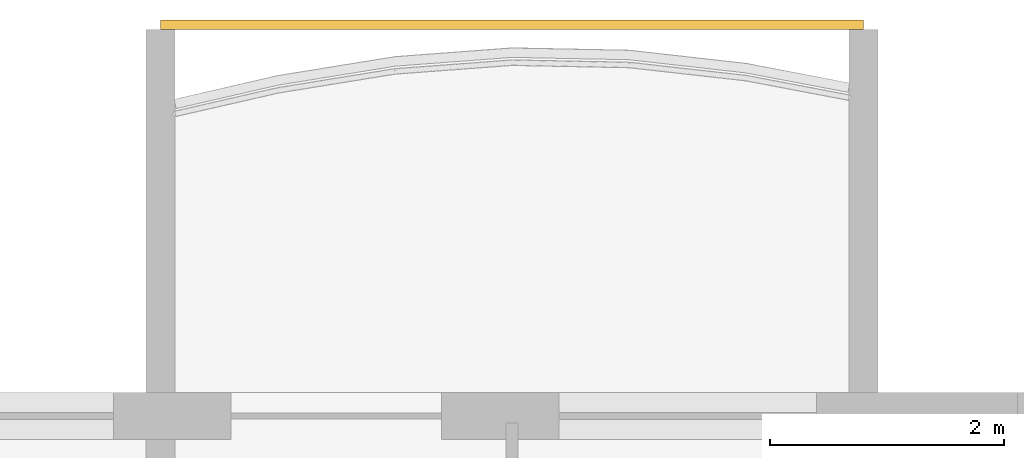
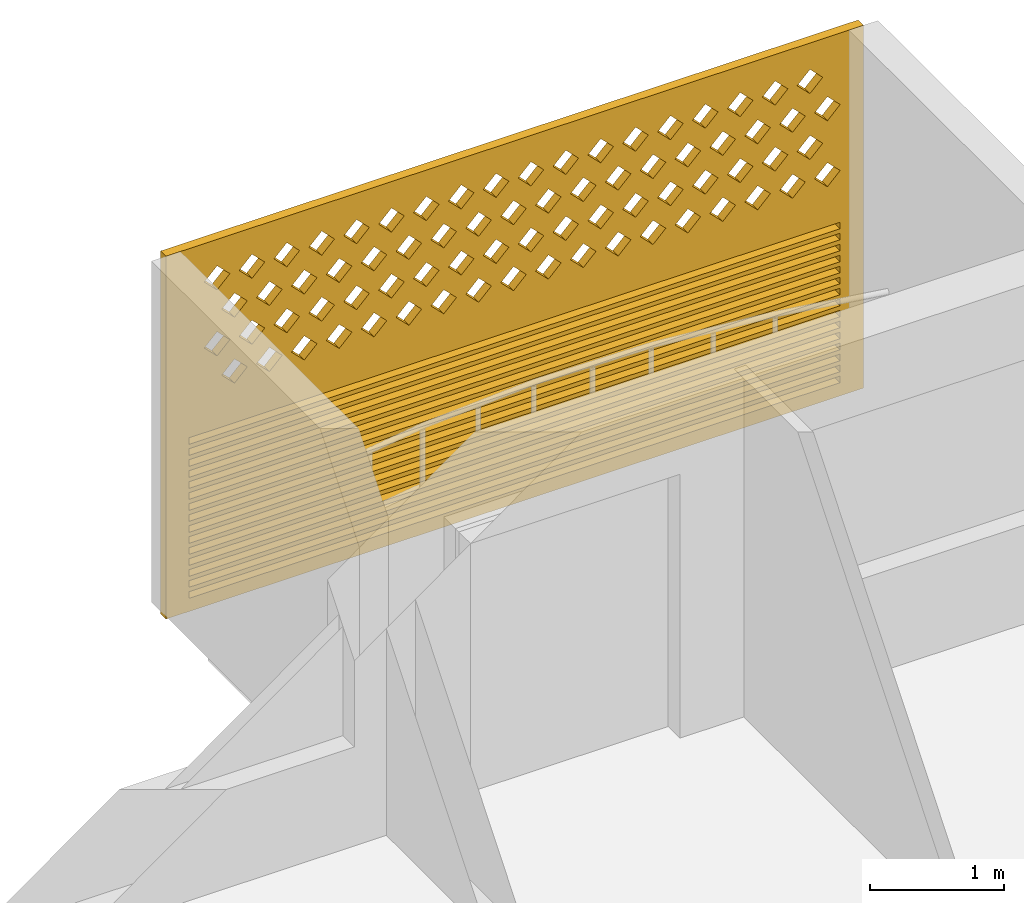
# One storey, part 27 of 27: 1 covering.
"""IFC4 building model written with IfcOpenShell, lengths in metres."""

from ifc_helpers import new_model, si_unit, direction, frame, origin, place, context, subcontext, project, spatial, polyline, outline, extrude, source, transform, mapped, material, material_profile, profile_set, type_object, element, save


model = new_model("IFC4")

# Units and contexts
model_context = context("Model", 3, precision=1e-05, world=origin(), true_north=direction((0.0, 1.0)))
body_context = subcontext(model_context, "Body", "Model", "MODEL_VIEW")
ifc_project = project(units=[si_unit("LENGTHUNIT", "METRE"), si_unit("AREAUNIT", "SQUARE_METRE"), si_unit("VOLUMEUNIT", "CUBIC_METRE"), si_unit("PLANEANGLEUNIT", "RADIAN"), si_unit("MASSUNIT", "GRAM", prefix="KILO")], contexts=[model_context])

# Site, building, storey
site_placement = place(None, origin())
site = spatial("IfcSite", under=ifc_project, at=site_placement, CompositionType="ELEMENT")
building_placement = place(site_placement, origin())
building = spatial("IfcBuilding", under=site, at=building_placement, Name="Poui Terraces", CompositionType="ELEMENT")
storey_placement = place(building_placement, frame((0.0, 0.0, 204.89990234375)))
storey = spatial("IfcBuildingStorey", under=building, at=storey_placement, Name="L57", CompositionType="ELEMENT", Elevation=204.89990234375)

# Covering
ifc_material = material(Name="Terracotta screen", Category="masonry")
ifc_material_profile = material_profile(ifc_material, outline(polyline([(-3.0, -1.64990234375), (3.0, -1.64990234375), (3.0, 1.64990234375), (-3.0, 1.64990234375), (-3.0, -1.64990234375)]), holes=[polyline([(-2.800048828125, 0.39990234375), (-2.68994140625, 0.2900390625), (-2.580078125, 0.39990234375), (-2.68994140625, 0.510009765625), (-2.800048828125, 0.39990234375)]), polyline([(-2.5, 0.39990234375), (-2.389892578125, 0.2900390625), (-2.280029296875, 0.39990234375), (-2.389892578125, 0.510009765625), (-2.5, 0.39990234375)]), polyline([(-2.199951171875, 0.39990234375), (-2.090087890625, 0.2900390625), (-1.97998046875, 0.39990234375), (-2.090087890625, 0.510009765625), (-2.199951171875, 0.39990234375)]), polyline([(-1.89990234375, 0.39990234375), (-1.7900390625, 0.2900390625), (-1.679931640625, 0.39990234375), (-1.7900390625, 0.510009765625), (-1.89990234375, 0.39990234375)]), polyline([(-1.60009765625, 0.39990234375), (-1.489990234375, 0.2900390625), (-1.3798828125, 0.39990234375), (-1.489990234375, 0.510009765625), (-1.60009765625, 0.39990234375)]), polyline([(-1.300048828125, 0.39990234375), (-1.18994140625, 0.2900390625), (-1.080078125, 0.39990234375), (-1.18994140625, 0.510009765625), (-1.300048828125, 0.39990234375)]), polyline([(-1.0, 0.39990234375), (-0.889892578125, 0.2900390625), (-0.780029296875, 0.39990234375), (-0.889892578125, 0.510009765625), (-1.0, 0.39990234375)]), polyline([(-0.699951171875, 0.39990234375), (-0.590087890625, 0.2900390625), (-0.47998046875, 0.39990234375), (-0.590087890625, 0.510009765625), (-0.699951171875, 0.39990234375)]), polyline([(-0.39990234375, 0.39990234375), (-0.2900390625, 0.2900390625), (-0.179931640625, 0.39990234375), (-0.2900390625, 0.510009765625), (-0.39990234375, 0.39990234375)]), polyline([(-0.10009765625, 0.39990234375), (0.010009765625, 0.2900390625), (0.1201171875, 0.39990234375), (0.010009765625, 0.510009765625), (-0.10009765625, 0.39990234375)]), polyline([(0.199951171875, 0.39990234375), (0.31005859375, 0.2900390625), (0.419921875, 0.39990234375), (0.31005859375, 0.510009765625), (0.199951171875, 0.39990234375)]), polyline([(0.5, 0.39990234375), (0.610107421875, 0.2900390625), (0.719970703125, 0.39990234375), (0.610107421875, 0.510009765625), (0.5, 0.39990234375)]), polyline([(0.800048828125, 0.39990234375), (0.909912109375, 0.2900390625), (1.02001953125, 0.39990234375), (0.909912109375, 0.510009765625), (0.800048828125, 0.39990234375)]), polyline([(1.10009765625, 0.39990234375), (1.2099609375, 0.2900390625), (1.320068359375, 0.39990234375), (1.2099609375, 0.510009765625), (1.10009765625, 0.39990234375)]), polyline([(1.39990234375, 0.39990234375), (1.510009765625, 0.2900390625), (1.6201171875, 0.39990234375), (1.510009765625, 0.510009765625), (1.39990234375, 0.39990234375)]), polyline([(1.699951171875, 0.39990234375), (1.81005859375, 0.2900390625), (1.919921875, 0.39990234375), (1.81005859375, 0.510009765625), (1.699951171875, 0.39990234375)]), polyline([(2.0, 0.39990234375), (2.110107421875, 0.2900390625), (2.219970703125, 0.39990234375), (2.110107421875, 0.510009765625), (2.0, 0.39990234375)]), polyline([(2.300048828125, 0.39990234375), (2.409912109375, 0.2900390625), (2.52001953125, 0.39990234375), (2.409912109375, 0.510009765625), (2.300048828125, 0.39990234375)]), polyline([(-2.64990234375, 0.699951171875), (-2.5400390625, 0.590087890625), (-2.429931640625, 0.699951171875), (-2.5400390625, 0.81005859375), (-2.64990234375, 0.699951171875)]), polyline([(-2.35009765625, 0.699951171875), (-2.239990234375, 0.590087890625), (-2.1298828125, 0.699951171875), (-2.239990234375, 0.81005859375), (-2.35009765625, 0.699951171875)]), polyline([(-2.050048828125, 0.699951171875), (-1.93994140625, 0.590087890625), (-1.830078125, 0.699951171875), (-1.93994140625, 0.81005859375), (-2.050048828125, 0.699951171875)]), polyline([(-1.75, 0.699951171875), (-1.639892578125, 0.590087890625), (-1.530029296875, 0.699951171875), (-1.639892578125, 0.81005859375), (-1.75, 0.699951171875)]), polyline([(-1.449951171875, 0.699951171875), (-1.340087890625, 0.590087890625), (-1.22998046875, 0.699951171875), (-1.340087890625, 0.81005859375), (-1.449951171875, 0.699951171875)]), polyline([(-1.14990234375, 0.699951171875), (-1.0400390625, 0.590087890625), (-0.929931640625, 0.699951171875), (-1.0400390625, 0.81005859375), (-1.14990234375, 0.699951171875)]), polyline([(-0.85009765625, 0.699951171875), (-0.739990234375, 0.590087890625), (-0.6298828125, 0.699951171875), (-0.739990234375, 0.81005859375), (-0.85009765625, 0.699951171875)]), polyline([(-0.550048828125, 0.699951171875), (-0.43994140625, 0.590087890625), (-0.330078125, 0.699951171875), (-0.43994140625, 0.81005859375), (-0.550048828125, 0.699951171875)]), polyline([(-0.25, 0.699951171875), (-0.139892578125, 0.590087890625), (-0.030029296875, 0.699951171875), (-0.139892578125, 0.81005859375), (-0.25, 0.699951171875)]), polyline([(0.050048828125, 0.699951171875), (0.159912109375, 0.590087890625), (0.27001953125, 0.699951171875), (0.159912109375, 0.81005859375), (0.050048828125, 0.699951171875)]), polyline([(0.35009765625, 0.699951171875), (0.4599609375, 0.590087890625), (0.570068359375, 0.699951171875), (0.4599609375, 0.81005859375), (0.35009765625, 0.699951171875)]), polyline([(0.64990234375, 0.699951171875), (0.760009765625, 0.590087890625), (0.8701171875, 0.699951171875), (0.760009765625, 0.81005859375), (0.64990234375, 0.699951171875)]), polyline([(0.949951171875, 0.699951171875), (1.06005859375, 0.590087890625), (1.169921875, 0.699951171875), (1.06005859375, 0.81005859375), (0.949951171875, 0.699951171875)]), polyline([(1.25, 0.699951171875), (1.360107421875, 0.590087890625), (1.469970703125, 0.699951171875), (1.360107421875, 0.81005859375), (1.25, 0.699951171875)]), polyline([(1.550048828125, 0.699951171875), (1.659912109375, 0.590087890625), (1.77001953125, 0.699951171875), (1.659912109375, 0.81005859375), (1.550048828125, 0.699951171875)]), polyline([(1.85009765625, 0.699951171875), (1.9599609375, 0.590087890625), (2.070068359375, 0.699951171875), (1.9599609375, 0.81005859375), (1.85009765625, 0.699951171875)]), polyline([(2.14990234375, 0.699951171875), (2.260009765625, 0.590087890625), (2.3701171875, 0.699951171875), (2.260009765625, 0.81005859375), (2.14990234375, 0.699951171875)]), polyline([(2.449951171875, 0.699951171875), (2.56005859375, 0.590087890625), (2.669921875, 0.699951171875), (2.56005859375, 0.81005859375), (2.449951171875, 0.699951171875)]), polyline([(-2.800048828125, 1.0), (-2.68994140625, 0.889892578125), (-2.580078125, 1.0), (-2.68994140625, 1.110107421875), (-2.800048828125, 1.0)]), polyline([(-2.5, 1.0), (-2.389892578125, 0.889892578125), (-2.280029296875, 1.0), (-2.389892578125, 1.110107421875), (-2.5, 1.0)]), polyline([(-2.199951171875, 1.0), (-2.090087890625, 0.889892578125), (-1.97998046875, 1.0), (-2.090087890625, 1.110107421875), (-2.199951171875, 1.0)]), polyline([(-1.89990234375, 1.0), (-1.7900390625, 0.889892578125), (-1.679931640625, 1.0), (-1.7900390625, 1.110107421875), (-1.89990234375, 1.0)]), polyline([(-1.60009765625, 1.0), (-1.489990234375, 0.889892578125), (-1.3798828125, 1.0), (-1.489990234375, 1.110107421875), (-1.60009765625, 1.0)]), polyline([(-1.300048828125, 1.0), (-1.18994140625, 0.889892578125), (-1.080078125, 1.0), (-1.18994140625, 1.110107421875), (-1.300048828125, 1.0)]), polyline([(-1.0, 1.0), (-0.889892578125, 0.889892578125), (-0.780029296875, 1.0), (-0.889892578125, 1.110107421875), (-1.0, 1.0)]), polyline([(-0.699951171875, 1.0), (-0.590087890625, 0.889892578125), (-0.47998046875, 1.0), (-0.590087890625, 1.110107421875), (-0.699951171875, 1.0)]), polyline([(-0.39990234375, 1.0), (-0.2900390625, 0.889892578125), (-0.179931640625, 1.0), (-0.2900390625, 1.110107421875), (-0.39990234375, 1.0)]), polyline([(-0.10009765625, 1.0), (0.010009765625, 0.889892578125), (0.1201171875, 1.0), (0.010009765625, 1.110107421875), (-0.10009765625, 1.0)]), polyline([(0.199951171875, 1.0), (0.31005859375, 0.889892578125), (0.419921875, 1.0), (0.31005859375, 1.110107421875), (0.199951171875, 1.0)]), polyline([(0.5, 1.0), (0.610107421875, 0.889892578125), (0.719970703125, 1.0), (0.610107421875, 1.110107421875), (0.5, 1.0)]), polyline([(0.800048828125, 1.0), (0.909912109375, 0.889892578125), (1.02001953125, 1.0), (0.909912109375, 1.110107421875), (0.800048828125, 1.0)]), polyline([(1.10009765625, 1.0), (1.2099609375, 0.889892578125), (1.320068359375, 1.0), (1.2099609375, 1.110107421875), (1.10009765625, 1.0)]), polyline([(1.39990234375, 1.0), (1.510009765625, 0.889892578125), (1.6201171875, 1.0), (1.510009765625, 1.110107421875), (1.39990234375, 1.0)]), polyline([(1.699951171875, 1.0), (1.81005859375, 0.889892578125), (1.919921875, 1.0), (1.81005859375, 1.110107421875), (1.699951171875, 1.0)]), polyline([(2.0, 1.0), (2.110107421875, 0.889892578125), (2.219970703125, 1.0), (2.110107421875, 1.110107421875), (2.0, 1.0)]), polyline([(2.300048828125, 1.0), (2.409912109375, 0.889892578125), (2.52001953125, 1.0), (2.409912109375, 1.110107421875), (2.300048828125, 1.0)]), polyline([(-2.64990234375, 1.300048828125), (-2.5400390625, 1.18994140625), (-2.429931640625, 1.300048828125), (-2.5400390625, 1.409912109375), (-2.64990234375, 1.300048828125)]), polyline([(-2.35009765625, 1.300048828125), (-2.239990234375, 1.18994140625), (-2.1298828125, 1.300048828125), (-2.239990234375, 1.409912109375), (-2.35009765625, 1.300048828125)]), polyline([(-2.050048828125, 1.300048828125), (-1.93994140625, 1.18994140625), (-1.830078125, 1.300048828125), (-1.93994140625, 1.409912109375), (-2.050048828125, 1.300048828125)]), polyline([(-1.75, 1.300048828125), (-1.639892578125, 1.18994140625), (-1.530029296875, 1.300048828125), (-1.639892578125, 1.409912109375), (-1.75, 1.300048828125)]), polyline([(-1.449951171875, 1.300048828125), (-1.340087890625, 1.18994140625), (-1.22998046875, 1.300048828125), (-1.340087890625, 1.409912109375), (-1.449951171875, 1.300048828125)]), polyline([(-1.14990234375, 1.300048828125), (-1.0400390625, 1.18994140625), (-0.929931640625, 1.300048828125), (-1.0400390625, 1.409912109375), (-1.14990234375, 1.300048828125)]), polyline([(-0.85009765625, 1.300048828125), (-0.739990234375, 1.18994140625), (-0.6298828125, 1.300048828125), (-0.739990234375, 1.409912109375), (-0.85009765625, 1.300048828125)]), polyline([(-0.550048828125, 1.300048828125), (-0.43994140625, 1.18994140625), (-0.330078125, 1.300048828125), (-0.43994140625, 1.409912109375), (-0.550048828125, 1.300048828125)]), polyline([(-0.25, 1.300048828125), (-0.139892578125, 1.18994140625), (-0.030029296875, 1.300048828125), (-0.139892578125, 1.409912109375), (-0.25, 1.300048828125)]), polyline([(0.050048828125, 1.300048828125), (0.159912109375, 1.18994140625), (0.27001953125, 1.300048828125), (0.159912109375, 1.409912109375), (0.050048828125, 1.300048828125)]), polyline([(0.35009765625, 1.300048828125), (0.4599609375, 1.18994140625), (0.570068359375, 1.300048828125), (0.4599609375, 1.409912109375), (0.35009765625, 1.300048828125)]), polyline([(0.64990234375, 1.300048828125), (0.760009765625, 1.18994140625), (0.8701171875, 1.300048828125), (0.760009765625, 1.409912109375), (0.64990234375, 1.300048828125)]), polyline([(0.949951171875, 1.300048828125), (1.06005859375, 1.18994140625), (1.169921875, 1.300048828125), (1.06005859375, 1.409912109375), (0.949951171875, 1.300048828125)]), polyline([(1.25, 1.300048828125), (1.360107421875, 1.18994140625), (1.469970703125, 1.300048828125), (1.360107421875, 1.409912109375), (1.25, 1.300048828125)]), polyline([(1.550048828125, 1.300048828125), (1.659912109375, 1.18994140625), (1.77001953125, 1.300048828125), (1.659912109375, 1.409912109375), (1.550048828125, 1.300048828125)]), polyline([(1.85009765625, 1.300048828125), (1.9599609375, 1.18994140625), (2.070068359375, 1.300048828125), (1.9599609375, 1.409912109375), (1.85009765625, 1.300048828125)]), polyline([(2.14990234375, 1.300048828125), (2.260009765625, 1.18994140625), (2.3701171875, 1.300048828125), (2.260009765625, 1.409912109375), (2.14990234375, 1.300048828125)]), polyline([(2.449951171875, 1.300048828125), (2.56005859375, 1.18994140625), (2.669921875, 1.300048828125), (2.56005859375, 1.409912109375), (2.449951171875, 1.300048828125)]), polyline([(-2.800048828125, -1.530029296875), (2.800048828125, -1.530029296875), (2.800048828125, -1.469970703125), (-2.800048828125, -1.469970703125), (-2.800048828125, -1.530029296875)]), polyline([(-2.800048828125, -1.429931640625), (2.800048828125, -1.429931640625), (2.800048828125, -1.3701171875), (-2.800048828125, -1.3701171875), (-2.800048828125, -1.429931640625)]), polyline([(-2.800048828125, -1.330078125), (2.800048828125, -1.330078125), (2.800048828125, -1.27001953125), (-2.800048828125, -1.27001953125), (-2.800048828125, -1.330078125)]), polyline([(-2.800048828125, -1.22998046875), (2.800048828125, -1.22998046875), (2.800048828125, -1.169921875), (-2.800048828125, -1.169921875), (-2.800048828125, -1.22998046875)]), polyline([(-2.800048828125, -1.1298828125), (2.800048828125, -1.1298828125), (2.800048828125, -1.070068359375), (-2.800048828125, -1.070068359375), (-2.800048828125, -1.1298828125)]), polyline([(-2.800048828125, -1.030029296875), (2.800048828125, -1.030029296875), (2.800048828125, -0.969970703125), (-2.800048828125, -0.969970703125), (-2.800048828125, -1.030029296875)]), polyline([(-2.800048828125, -0.929931640625), (2.800048828125, -0.929931640625), (2.800048828125, -0.8701171875), (-2.800048828125, -0.8701171875), (-2.800048828125, -0.929931640625)]), polyline([(-2.800048828125, -0.830078125), (2.800048828125, -0.830078125), (2.800048828125, -0.77001953125), (-2.800048828125, -0.77001953125), (-2.800048828125, -0.830078125)]), polyline([(-2.800048828125, -0.72998046875), (2.800048828125, -0.72998046875), (2.800048828125, -0.669921875), (-2.800048828125, -0.669921875), (-2.800048828125, -0.72998046875)]), polyline([(-2.800048828125, -0.6298828125), (2.800048828125, -0.6298828125), (2.800048828125, -0.570068359375), (-2.800048828125, -0.570068359375), (-2.800048828125, -0.6298828125)]), polyline([(-2.800048828125, -0.530029296875), (2.800048828125, -0.530029296875), (2.800048828125, -0.469970703125), (-2.800048828125, -0.469970703125), (-2.800048828125, -0.530029296875)]), polyline([(-2.800048828125, -0.429931640625), (2.800048828125, -0.429931640625), (2.800048828125, -0.3701171875), (-2.800048828125, -0.3701171875), (-2.800048828125, -0.429931640625)]), polyline([(-2.800048828125, -0.330078125), (2.800048828125, -0.330078125), (2.800048828125, -0.27001953125), (-2.800048828125, -0.27001953125), (-2.800048828125, -0.330078125)]), polyline([(-2.800048828125, -0.22998046875), (2.800048828125, -0.22998046875), (2.800048828125, -0.169921875), (-2.800048828125, -0.169921875), (-2.800048828125, -0.22998046875)]), polyline([(-2.800048828125, -0.1298828125), (2.800048828125, -0.1298828125), (2.800048828125, -0.070068359375), (-2.800048828125, -0.070068359375), (-2.800048828125, -0.1298828125)])]), Name="TERRACOTTA SCREEN AND JALOUSIE LOUVRE 6000X3300")
ifc_profile_set = profile_set([ifc_material_profile], Name="Terracotta screen")
covering_type = type_object("IfcCoveringType", Name="TERRACOTTA SCREEN AND JALOUSIE LOUVRE 6000X3300", PredefinedType="CLADDING", material=ifc_profile_set)
shared_shape = source(origin(), body_context, "Body", "SweptSolid", [
    extrude(outline(polyline([(-3.0, -1.64990234375), (3.0, -1.64990234375), (3.0, 1.64990234375), (-3.0, 1.64990234375), (-3.0, -1.64990234375)]), holes=[polyline([(-2.800048828125, 0.39990234375), (-2.68994140625, 0.2900390625), (-2.580078125, 0.39990234375), (-2.68994140625, 0.510009765625), (-2.800048828125, 0.39990234375)]), polyline([(-2.5, 0.39990234375), (-2.389892578125, 0.2900390625), (-2.280029296875, 0.39990234375), (-2.389892578125, 0.510009765625), (-2.5, 0.39990234375)]), polyline([(-2.199951171875, 0.39990234375), (-2.090087890625, 0.2900390625), (-1.97998046875, 0.39990234375), (-2.090087890625, 0.510009765625), (-2.199951171875, 0.39990234375)]), polyline([(-1.89990234375, 0.39990234375), (-1.7900390625, 0.2900390625), (-1.679931640625, 0.39990234375), (-1.7900390625, 0.510009765625), (-1.89990234375, 0.39990234375)]), polyline([(-1.60009765625, 0.39990234375), (-1.489990234375, 0.2900390625), (-1.3798828125, 0.39990234375), (-1.489990234375, 0.510009765625), (-1.60009765625, 0.39990234375)]), polyline([(-1.300048828125, 0.39990234375), (-1.18994140625, 0.2900390625), (-1.080078125, 0.39990234375), (-1.18994140625, 0.510009765625), (-1.300048828125, 0.39990234375)]), polyline([(-1.0, 0.39990234375), (-0.889892578125, 0.2900390625), (-0.780029296875, 0.39990234375), (-0.889892578125, 0.510009765625), (-1.0, 0.39990234375)]), polyline([(-0.699951171875, 0.39990234375), (-0.590087890625, 0.2900390625), (-0.47998046875, 0.39990234375), (-0.590087890625, 0.510009765625), (-0.699951171875, 0.39990234375)]), polyline([(-0.39990234375, 0.39990234375), (-0.2900390625, 0.2900390625), (-0.179931640625, 0.39990234375), (-0.2900390625, 0.510009765625), (-0.39990234375, 0.39990234375)]), polyline([(-0.10009765625, 0.39990234375), (0.010009765625, 0.2900390625), (0.1201171875, 0.39990234375), (0.010009765625, 0.510009765625), (-0.10009765625, 0.39990234375)]), polyline([(0.199951171875, 0.39990234375), (0.31005859375, 0.2900390625), (0.419921875, 0.39990234375), (0.31005859375, 0.510009765625), (0.199951171875, 0.39990234375)]), polyline([(0.5, 0.39990234375), (0.610107421875, 0.2900390625), (0.719970703125, 0.39990234375), (0.610107421875, 0.510009765625), (0.5, 0.39990234375)]), polyline([(0.800048828125, 0.39990234375), (0.909912109375, 0.2900390625), (1.02001953125, 0.39990234375), (0.909912109375, 0.510009765625), (0.800048828125, 0.39990234375)]), polyline([(1.10009765625, 0.39990234375), (1.2099609375, 0.2900390625), (1.320068359375, 0.39990234375), (1.2099609375, 0.510009765625), (1.10009765625, 0.39990234375)]), polyline([(1.39990234375, 0.39990234375), (1.510009765625, 0.2900390625), (1.6201171875, 0.39990234375), (1.510009765625, 0.510009765625), (1.39990234375, 0.39990234375)]), polyline([(1.699951171875, 0.39990234375), (1.81005859375, 0.2900390625), (1.919921875, 0.39990234375), (1.81005859375, 0.510009765625), (1.699951171875, 0.39990234375)]), polyline([(2.0, 0.39990234375), (2.110107421875, 0.2900390625), (2.219970703125, 0.39990234375), (2.110107421875, 0.510009765625), (2.0, 0.39990234375)]), polyline([(2.300048828125, 0.39990234375), (2.409912109375, 0.2900390625), (2.52001953125, 0.39990234375), (2.409912109375, 0.510009765625), (2.300048828125, 0.39990234375)]), polyline([(-2.64990234375, 0.699951171875), (-2.5400390625, 0.590087890625), (-2.429931640625, 0.699951171875), (-2.5400390625, 0.81005859375), (-2.64990234375, 0.699951171875)]), polyline([(-2.35009765625, 0.699951171875), (-2.239990234375, 0.590087890625), (-2.1298828125, 0.699951171875), (-2.239990234375, 0.81005859375), (-2.35009765625, 0.699951171875)]), polyline([(-2.050048828125, 0.699951171875), (-1.93994140625, 0.590087890625), (-1.830078125, 0.699951171875), (-1.93994140625, 0.81005859375), (-2.050048828125, 0.699951171875)]), polyline([(-1.75, 0.699951171875), (-1.639892578125, 0.590087890625), (-1.530029296875, 0.699951171875), (-1.639892578125, 0.81005859375), (-1.75, 0.699951171875)]), polyline([(-1.449951171875, 0.699951171875), (-1.340087890625, 0.590087890625), (-1.22998046875, 0.699951171875), (-1.340087890625, 0.81005859375), (-1.449951171875, 0.699951171875)]), polyline([(-1.14990234375, 0.699951171875), (-1.0400390625, 0.590087890625), (-0.929931640625, 0.699951171875), (-1.0400390625, 0.81005859375), (-1.14990234375, 0.699951171875)]), polyline([(-0.85009765625, 0.699951171875), (-0.739990234375, 0.590087890625), (-0.6298828125, 0.699951171875), (-0.739990234375, 0.81005859375), (-0.85009765625, 0.699951171875)]), polyline([(-0.550048828125, 0.699951171875), (-0.43994140625, 0.590087890625), (-0.330078125, 0.699951171875), (-0.43994140625, 0.81005859375), (-0.550048828125, 0.699951171875)]), polyline([(-0.25, 0.699951171875), (-0.139892578125, 0.590087890625), (-0.030029296875, 0.699951171875), (-0.139892578125, 0.81005859375), (-0.25, 0.699951171875)]), polyline([(0.050048828125, 0.699951171875), (0.159912109375, 0.590087890625), (0.27001953125, 0.699951171875), (0.159912109375, 0.81005859375), (0.050048828125, 0.699951171875)]), polyline([(0.35009765625, 0.699951171875), (0.4599609375, 0.590087890625), (0.570068359375, 0.699951171875), (0.4599609375, 0.81005859375), (0.35009765625, 0.699951171875)]), polyline([(0.64990234375, 0.699951171875), (0.760009765625, 0.590087890625), (0.8701171875, 0.699951171875), (0.760009765625, 0.81005859375), (0.64990234375, 0.699951171875)]), polyline([(0.949951171875, 0.699951171875), (1.06005859375, 0.590087890625), (1.169921875, 0.699951171875), (1.06005859375, 0.81005859375), (0.949951171875, 0.699951171875)]), polyline([(1.25, 0.699951171875), (1.360107421875, 0.590087890625), (1.469970703125, 0.699951171875), (1.360107421875, 0.81005859375), (1.25, 0.699951171875)]), polyline([(1.550048828125, 0.699951171875), (1.659912109375, 0.590087890625), (1.77001953125, 0.699951171875), (1.659912109375, 0.81005859375), (1.550048828125, 0.699951171875)]), polyline([(1.85009765625, 0.699951171875), (1.9599609375, 0.590087890625), (2.070068359375, 0.699951171875), (1.9599609375, 0.81005859375), (1.85009765625, 0.699951171875)]), polyline([(2.14990234375, 0.699951171875), (2.260009765625, 0.590087890625), (2.3701171875, 0.699951171875), (2.260009765625, 0.81005859375), (2.14990234375, 0.699951171875)]), polyline([(2.449951171875, 0.699951171875), (2.56005859375, 0.590087890625), (2.669921875, 0.699951171875), (2.56005859375, 0.81005859375), (2.449951171875, 0.699951171875)]), polyline([(-2.800048828125, 1.0), (-2.68994140625, 0.889892578125), (-2.580078125, 1.0), (-2.68994140625, 1.110107421875), (-2.800048828125, 1.0)]), polyline([(-2.5, 1.0), (-2.389892578125, 0.889892578125), (-2.280029296875, 1.0), (-2.389892578125, 1.110107421875), (-2.5, 1.0)]), polyline([(-2.199951171875, 1.0), (-2.090087890625, 0.889892578125), (-1.97998046875, 1.0), (-2.090087890625, 1.110107421875), (-2.199951171875, 1.0)]), polyline([(-1.89990234375, 1.0), (-1.7900390625, 0.889892578125), (-1.679931640625, 1.0), (-1.7900390625, 1.110107421875), (-1.89990234375, 1.0)]), polyline([(-1.60009765625, 1.0), (-1.489990234375, 0.889892578125), (-1.3798828125, 1.0), (-1.489990234375, 1.110107421875), (-1.60009765625, 1.0)]), polyline([(-1.300048828125, 1.0), (-1.18994140625, 0.889892578125), (-1.080078125, 1.0), (-1.18994140625, 1.110107421875), (-1.300048828125, 1.0)]), polyline([(-1.0, 1.0), (-0.889892578125, 0.889892578125), (-0.780029296875, 1.0), (-0.889892578125, 1.110107421875), (-1.0, 1.0)]), polyline([(-0.699951171875, 1.0), (-0.590087890625, 0.889892578125), (-0.47998046875, 1.0), (-0.590087890625, 1.110107421875), (-0.699951171875, 1.0)]), polyline([(-0.39990234375, 1.0), (-0.2900390625, 0.889892578125), (-0.179931640625, 1.0), (-0.2900390625, 1.110107421875), (-0.39990234375, 1.0)]), polyline([(-0.10009765625, 1.0), (0.010009765625, 0.889892578125), (0.1201171875, 1.0), (0.010009765625, 1.110107421875), (-0.10009765625, 1.0)]), polyline([(0.199951171875, 1.0), (0.31005859375, 0.889892578125), (0.419921875, 1.0), (0.31005859375, 1.110107421875), (0.199951171875, 1.0)]), polyline([(0.5, 1.0), (0.610107421875, 0.889892578125), (0.719970703125, 1.0), (0.610107421875, 1.110107421875), (0.5, 1.0)]), polyline([(0.800048828125, 1.0), (0.909912109375, 0.889892578125), (1.02001953125, 1.0), (0.909912109375, 1.110107421875), (0.800048828125, 1.0)]), polyline([(1.10009765625, 1.0), (1.2099609375, 0.889892578125), (1.320068359375, 1.0), (1.2099609375, 1.110107421875), (1.10009765625, 1.0)]), polyline([(1.39990234375, 1.0), (1.510009765625, 0.889892578125), (1.6201171875, 1.0), (1.510009765625, 1.110107421875), (1.39990234375, 1.0)]), polyline([(1.699951171875, 1.0), (1.81005859375, 0.889892578125), (1.919921875, 1.0), (1.81005859375, 1.110107421875), (1.699951171875, 1.0)]), polyline([(2.0, 1.0), (2.110107421875, 0.889892578125), (2.219970703125, 1.0), (2.110107421875, 1.110107421875), (2.0, 1.0)]), polyline([(2.300048828125, 1.0), (2.409912109375, 0.889892578125), (2.52001953125, 1.0), (2.409912109375, 1.110107421875), (2.300048828125, 1.0)]), polyline([(-2.64990234375, 1.300048828125), (-2.5400390625, 1.18994140625), (-2.429931640625, 1.300048828125), (-2.5400390625, 1.409912109375), (-2.64990234375, 1.300048828125)]), polyline([(-2.35009765625, 1.300048828125), (-2.239990234375, 1.18994140625), (-2.1298828125, 1.300048828125), (-2.239990234375, 1.409912109375), (-2.35009765625, 1.300048828125)]), polyline([(-2.050048828125, 1.300048828125), (-1.93994140625, 1.18994140625), (-1.830078125, 1.300048828125), (-1.93994140625, 1.409912109375), (-2.050048828125, 1.300048828125)]), polyline([(-1.75, 1.300048828125), (-1.639892578125, 1.18994140625), (-1.530029296875, 1.300048828125), (-1.639892578125, 1.409912109375), (-1.75, 1.300048828125)]), polyline([(-1.449951171875, 1.300048828125), (-1.340087890625, 1.18994140625), (-1.22998046875, 1.300048828125), (-1.340087890625, 1.409912109375), (-1.449951171875, 1.300048828125)]), polyline([(-1.14990234375, 1.300048828125), (-1.0400390625, 1.18994140625), (-0.929931640625, 1.300048828125), (-1.0400390625, 1.409912109375), (-1.14990234375, 1.300048828125)]), polyline([(-0.85009765625, 1.300048828125), (-0.739990234375, 1.18994140625), (-0.6298828125, 1.300048828125), (-0.739990234375, 1.409912109375), (-0.85009765625, 1.300048828125)]), polyline([(-0.550048828125, 1.300048828125), (-0.43994140625, 1.18994140625), (-0.330078125, 1.300048828125), (-0.43994140625, 1.409912109375), (-0.550048828125, 1.300048828125)]), polyline([(-0.25, 1.300048828125), (-0.139892578125, 1.18994140625), (-0.030029296875, 1.300048828125), (-0.139892578125, 1.409912109375), (-0.25, 1.300048828125)]), polyline([(0.050048828125, 1.300048828125), (0.159912109375, 1.18994140625), (0.27001953125, 1.300048828125), (0.159912109375, 1.409912109375), (0.050048828125, 1.300048828125)]), polyline([(0.35009765625, 1.300048828125), (0.4599609375, 1.18994140625), (0.570068359375, 1.300048828125), (0.4599609375, 1.409912109375), (0.35009765625, 1.300048828125)]), polyline([(0.64990234375, 1.300048828125), (0.760009765625, 1.18994140625), (0.8701171875, 1.300048828125), (0.760009765625, 1.409912109375), (0.64990234375, 1.300048828125)]), polyline([(0.949951171875, 1.300048828125), (1.06005859375, 1.18994140625), (1.169921875, 1.300048828125), (1.06005859375, 1.409912109375), (0.949951171875, 1.300048828125)]), polyline([(1.25, 1.300048828125), (1.360107421875, 1.18994140625), (1.469970703125, 1.300048828125), (1.360107421875, 1.409912109375), (1.25, 1.300048828125)]), polyline([(1.550048828125, 1.300048828125), (1.659912109375, 1.18994140625), (1.77001953125, 1.300048828125), (1.659912109375, 1.409912109375), (1.550048828125, 1.300048828125)]), polyline([(1.85009765625, 1.300048828125), (1.9599609375, 1.18994140625), (2.070068359375, 1.300048828125), (1.9599609375, 1.409912109375), (1.85009765625, 1.300048828125)]), polyline([(2.14990234375, 1.300048828125), (2.260009765625, 1.18994140625), (2.3701171875, 1.300048828125), (2.260009765625, 1.409912109375), (2.14990234375, 1.300048828125)]), polyline([(2.449951171875, 1.300048828125), (2.56005859375, 1.18994140625), (2.669921875, 1.300048828125), (2.56005859375, 1.409912109375), (2.449951171875, 1.300048828125)]), polyline([(-2.800048828125, -1.530029296875), (2.800048828125, -1.530029296875), (2.800048828125, -1.469970703125), (-2.800048828125, -1.469970703125), (-2.800048828125, -1.530029296875)]), polyline([(-2.800048828125, -1.429931640625), (2.800048828125, -1.429931640625), (2.800048828125, -1.3701171875), (-2.800048828125, -1.3701171875), (-2.800048828125, -1.429931640625)]), polyline([(-2.800048828125, -1.330078125), (2.800048828125, -1.330078125), (2.800048828125, -1.27001953125), (-2.800048828125, -1.27001953125), (-2.800048828125, -1.330078125)]), polyline([(-2.800048828125, -1.22998046875), (2.800048828125, -1.22998046875), (2.800048828125, -1.169921875), (-2.800048828125, -1.169921875), (-2.800048828125, -1.22998046875)]), polyline([(-2.800048828125, -1.1298828125), (2.800048828125, -1.1298828125), (2.800048828125, -1.070068359375), (-2.800048828125, -1.070068359375), (-2.800048828125, -1.1298828125)]), polyline([(-2.800048828125, -1.030029296875), (2.800048828125, -1.030029296875), (2.800048828125, -0.969970703125), (-2.800048828125, -0.969970703125), (-2.800048828125, -1.030029296875)]), polyline([(-2.800048828125, -0.929931640625), (2.800048828125, -0.929931640625), (2.800048828125, -0.8701171875), (-2.800048828125, -0.8701171875), (-2.800048828125, -0.929931640625)]), polyline([(-2.800048828125, -0.830078125), (2.800048828125, -0.830078125), (2.800048828125, -0.77001953125), (-2.800048828125, -0.77001953125), (-2.800048828125, -0.830078125)]), polyline([(-2.800048828125, -0.72998046875), (2.800048828125, -0.72998046875), (2.800048828125, -0.669921875), (-2.800048828125, -0.669921875), (-2.800048828125, -0.72998046875)]), polyline([(-2.800048828125, -0.6298828125), (2.800048828125, -0.6298828125), (2.800048828125, -0.570068359375), (-2.800048828125, -0.570068359375), (-2.800048828125, -0.6298828125)]), polyline([(-2.800048828125, -0.530029296875), (2.800048828125, -0.530029296875), (2.800048828125, -0.469970703125), (-2.800048828125, -0.469970703125), (-2.800048828125, -0.530029296875)]), polyline([(-2.800048828125, -0.429931640625), (2.800048828125, -0.429931640625), (2.800048828125, -0.3701171875), (-2.800048828125, -0.3701171875), (-2.800048828125, -0.429931640625)]), polyline([(-2.800048828125, -0.330078125), (2.800048828125, -0.330078125), (2.800048828125, -0.27001953125), (-2.800048828125, -0.27001953125), (-2.800048828125, -0.330078125)]), polyline([(-2.800048828125, -0.22998046875), (2.800048828125, -0.22998046875), (2.800048828125, -0.169921875), (-2.800048828125, -0.169921875), (-2.800048828125, -0.22998046875)]), polyline([(-2.800048828125, -0.1298828125), (2.800048828125, -0.1298828125), (2.800048828125, -0.070068359375), (-2.800048828125, -0.070068359375), (-2.800048828125, -0.1298828125)])]), origin(), (0.0, 0.0, 1.0), 0.080078125),
])
covering_placement = place(storey_placement, frame((75.0, 44.5, 1.4501953125), z_axis=(0.0, 1.0, 0.0), x_axis=(-1.0, 0.0, 0.0)))
element("IfcCovering", 1, at=covering_placement, inside=storey, type_object=covering_type, Name="SOLAR SCREEN AND JALOUSIE LOUVRE", PredefinedType="CLADDING", context=body_context, shape_type="MappedRepresentation", body=[
    mapped(shared_shape, transform((0.0, 0.0, 0.0))),
])

save(model, "model.ifc")
